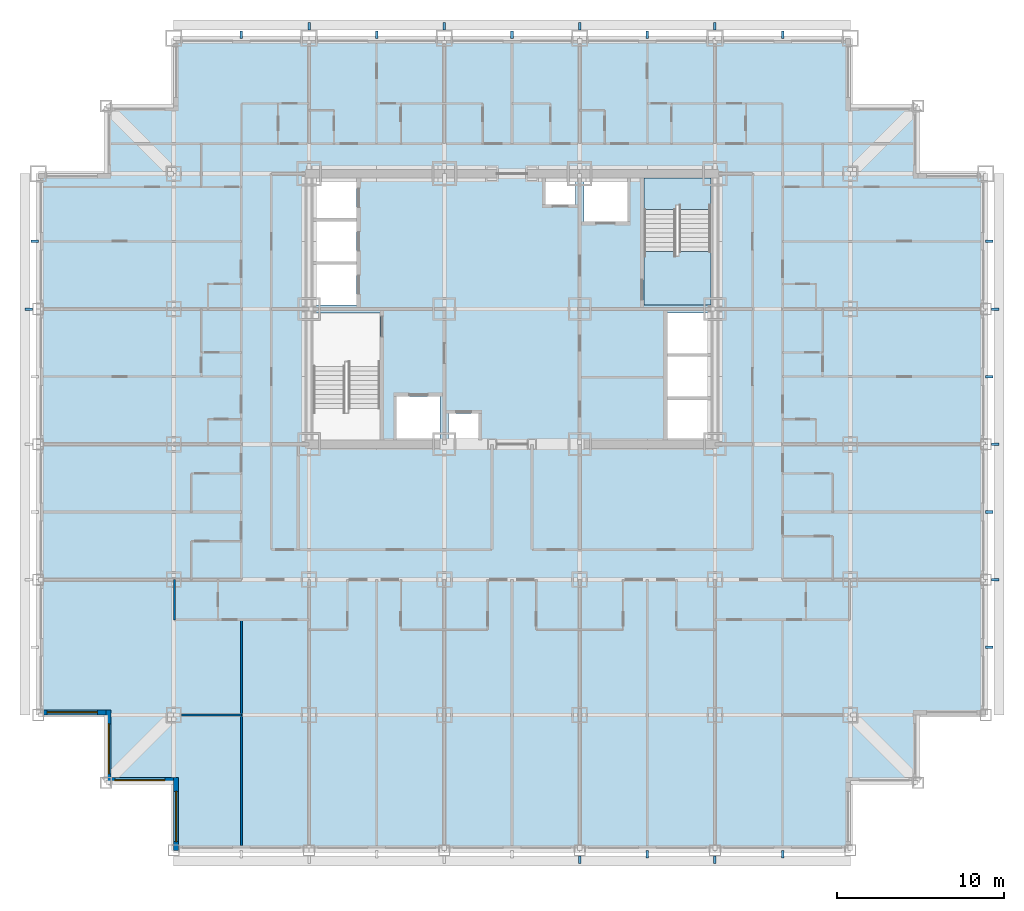
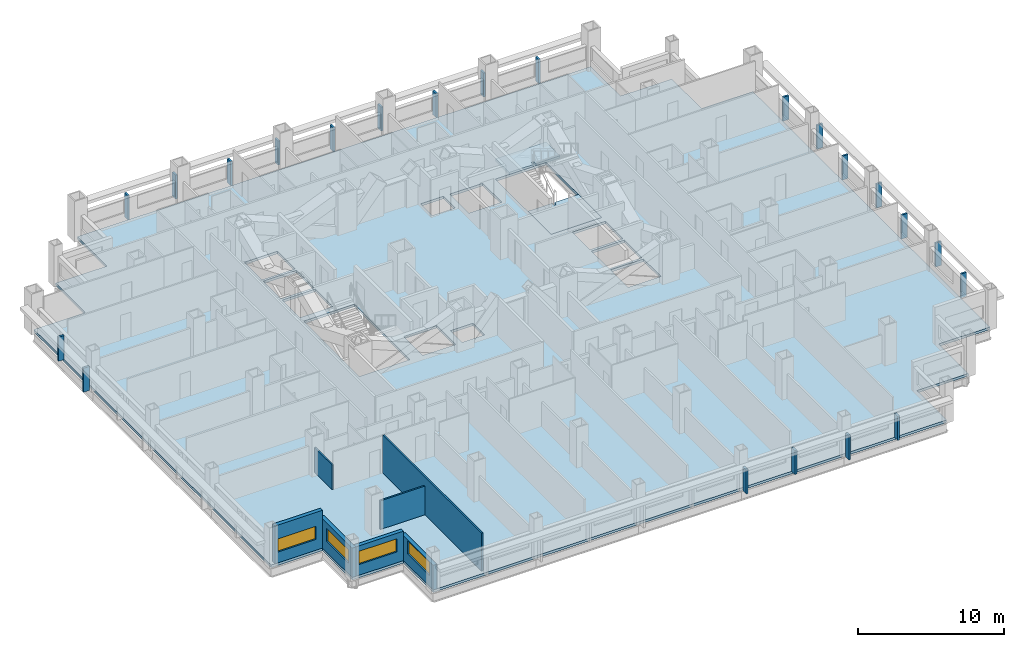
# One storey, part 3 of 12: 22 plates, 7 walls, 4 windows, 3 slabs, 4 openings, 1 element without a shape of its own.
"""IFC4 building model written with IfcOpenShell, lengths in metres."""

from ifc_helpers import new_model, si_unit, direction, frame, frame_2d, origin, origin_2d, place, context, subcontext, project, spatial, polyline, rectangle, outline, extrude, material, layer, layer_set, type_object, element, fill, aggregate, save


model = new_model("IFC4")

# Units and contexts
model_context = context("Model", 3, precision=1e-05, world=origin(), true_north=direction((0.0, 1.0)))
body_context = subcontext(model_context, "Body", "Model", "MODEL_VIEW")
ifc_project = project(units=[si_unit("LENGTHUNIT", "METRE"), si_unit("AREAUNIT", "SQUARE_METRE"), si_unit("VOLUMEUNIT", "CUBIC_METRE"), si_unit("PLANEANGLEUNIT", "RADIAN"), si_unit("MASSUNIT", "GRAM", prefix="KILO")], contexts=[model_context])

# Site, building, storey
site_placement = place(None, origin())
site = spatial("IfcSite", under=ifc_project, at=site_placement, CompositionType="ELEMENT")
building_placement = place(site_placement, origin())
building = spatial("IfcBuilding", under=site, at=building_placement, Name="Kopane Lantern Tower", CompositionType="ELEMENT")
storey_placement = place(building_placement, frame((0.0, 0.0, 87.39990234375)))
storey = spatial("IfcBuildingStorey", under=building, at=storey_placement, Name="L22", CompositionType="ELEMENT", Elevation=87.39990234375)

# Slab
ifc_material_1 = material(Name="Concrete C40/50", Category="concrete")
ifc_layer_1 = layer(ifc_material_1, 0.2099609375)
ifc_layer_set_1 = layer_set([ifc_layer_1], Name="SLAB 210 COMPOSITE")
slab_type_1 = type_object("IfcSlabType", Name="SLAB 210 COMPOSITE", PredefinedType="FLOOR", material=ifc_layer_set_1)
slab_1_placement = place(storey_placement, frame((0.0, 0.0, -0.2099609375)))
element("IfcSlab", 1, at=slab_1_placement, inside=storey, type_object=slab_type_1, Name="Floor slab L22", PredefinedType="FLOOR", context=body_context, shape_type="SweptSolid", body=[
    extrude(outline(polyline([(8.10009765625, 0.0), (48.60009765625, 0.0), (48.60009765625, 4.050048828125), (52.64990234375, 4.050048828125), (52.64990234375, 8.10009765625), (56.699951171875, 8.10009765625), (56.699951171875, 40.5), (52.64990234375, 40.5), (52.64990234375, 44.550048828125), (48.60009765625, 44.550048828125), (48.60009765625, 48.60009765625), (8.10009765625, 48.60009765625), (8.10009765625, 44.550048828125), (4.050048828125, 44.550048828125), (4.050048828125, 40.5), (0.0, 40.5), (0.0, 8.10009765625), (4.050048828125, 8.10009765625), (4.050048828125, 4.050048828125), (8.10009765625, 4.050048828125), (8.10009765625, 0.0)]), holes=[polyline([(16.449951171875, 24.550048828125), (20.449951171875, 24.550048828125), (20.449951171875, 32.14990234375), (16.449951171875, 32.14990234375), (16.449951171875, 24.550048828125)]), polyline([(36.25, 32.64990234375), (40.25, 32.64990234375), (40.25, 40.25), (36.25, 40.25), (36.25, 32.64990234375)]), polyline([(16.449951171875, 32.64990234375), (19.050048828125, 32.64990234375), (19.050048828125, 35.050048828125), (16.449951171875, 35.050048828125), (16.449951171875, 32.64990234375)]), polyline([(16.449951171875, 35.25), (19.050048828125, 35.25), (19.050048828125, 37.64990234375), (16.449951171875, 37.64990234375), (16.449951171875, 35.25)]), polyline([(16.449951171875, 37.85009765625), (19.050048828125, 37.85009765625), (19.050048828125, 40.25), (16.449951171875, 40.25), (16.449951171875, 37.85009765625)]), polyline([(37.64990234375, 24.550048828125), (40.25, 24.550048828125), (40.25, 26.949951171875), (37.64990234375, 26.949951171875), (37.64990234375, 24.550048828125)]), polyline([(37.64990234375, 27.14990234375), (40.25, 27.14990234375), (40.25, 29.550048828125), (37.64990234375, 29.550048828125), (37.64990234375, 27.14990234375)]), polyline([(37.64990234375, 29.75), (40.25, 29.75), (40.25, 32.14990234375), (37.64990234375, 32.14990234375), (37.64990234375, 29.75)]), polyline([(21.449951171875, 24.550048828125), (24.050048828125, 24.550048828125), (24.050048828125, 27.14990234375), (21.449951171875, 27.14990234375), (21.449951171875, 24.550048828125)]), polyline([(32.64990234375, 37.64990234375), (35.25, 37.64990234375), (35.25, 40.25), (32.64990234375, 40.25), (32.64990234375, 37.64990234375)]), polyline([(24.550048828125, 24.550048828125), (26.35009765625, 24.550048828125), (26.35009765625, 26.14990234375), (24.550048828125, 26.14990234375), (24.550048828125, 24.550048828125)]), polyline([(30.35009765625, 38.64990234375), (32.14990234375, 38.64990234375), (32.14990234375, 40.25), (30.35009765625, 40.25), (30.35009765625, 38.64990234375)])]), origin(), (0.0, 0.0, 1.0), 0.2099609375),
])

# Stair, slabs
ifc_material_2 = material(Name="Steel S355JR", Category="steel")
stair_type = type_object("IfcStairType", Name="EXIT STAIR 1900 HALF TURN", PredefinedType="HALF_TURN_STAIR", material=ifc_material_2)
stair_placement = place(storey_placement, origin())
stair = element("IfcStair", 2, at=stair_placement, inside=storey, type_object=stair_type, Name="Exit stair ST2 L22", PredefinedType="HALF_TURN_STAIR")
ifc_material_3 = material(Name="Concrete C40/50", Category="concrete")
ifc_layer_2 = layer(ifc_material_3, 0.199951171875)
ifc_layer_set_2 = layer_set([ifc_layer_2], Name="STAIR LANDING 200")
slab_type_2 = type_object("IfcSlabType", Name="STAIR LANDING 200", PredefinedType="LANDING", material=ifc_layer_set_2)
slab_2_placement = place(storey_placement, frame((0.0, 0.0, -0.199951171875)))
slab_2 = element("IfcSlab", 3, at=slab_2_placement, type_object=slab_type_2, Name="ST2 landing 1", PredefinedType="LANDING", context=body_context, shape_type="SweptSolid", body=[
    extrude(outline(polyline([(40.25, 35.830078125), (38.35009765625, 35.830078125), (38.35009765625, 35.550048828125), (38.14990234375, 35.550048828125), (38.14990234375, 35.830078125), (36.25, 35.830078125), (36.25, 32.64990234375), (40.25, 32.64990234375), (40.25, 35.830078125)])), origin(), (0.0, 0.0, 1.0), 0.199951171875),
])
slab_3_placement = place(storey_placement, frame((0.0, 0.0, 1.5)))
slab_3 = element("IfcSlab", 4, at=slab_3_placement, type_object=slab_type_2, Name="ST2 landing 2", PredefinedType="LANDING", context=body_context, shape_type="SweptSolid", body=[
    extrude(outline(polyline([(38.14990234375, 38.6298828125), (38.35009765625, 38.6298828125), (38.35009765625, 38.35009765625), (40.25, 38.35009765625), (40.25, 40.25), (36.25, 40.25), (36.25, 38.35009765625), (38.14990234375, 38.35009765625), (38.14990234375, 38.6298828125)])), origin(), (0.0, 0.0, 1.0), 0.2001953125),
])
aggregate(stair, [slab_2, slab_3])

# Plates
ifc_material_4 = material(Name="Terracotta rainscreen on light steel framing", Category="masonry")
ifc_layer_3 = layer(ifc_material_4, 0.14990234375)
ifc_layer_set_3 = layer_set([ifc_layer_3], Name="TERRACOTTA FIN TF1 150x450")
plate_type = type_object("IfcPlateType", Name="TERRACOTTA FIN TF1 150x450", PredefinedType="USERDEFINED", material=ifc_layer_set_3)
for number, where, z_axis, x_axis, name in (
    (5, (32.39990234375, -0.574951171875, 0.0), (0.0, 0.0, 1.0), (1.0, 0.0, 0.0), "Terracotta fin L22"),
    (6, (36.449951171875, -0.22509765625, 0.0), (0.0, 0.0, 1.0), (1.0, 0.0, 0.0), "Terracotta fin L22"),
    (7, (40.5, -0.574951171875, 0.0), (0.0, 0.0, 1.0), (1.0, 0.0, 0.0), "Terracotta fin L22"),
    (8, (44.550048828125, -0.22509765625, 0.0), (0.0, 0.0, 1.0), (1.0, 0.0, 0.0), "Terracotta fin L22"),
    (9, (56.925048828125, 12.14990234375, 0.0), (0.0, 0.0, 1.0), (0.0, 1.0, 0.0), "Terracotta fin L22"),
    (10, (57.27490234375, 16.199951171875, 0.0), (0.0, 0.0, 1.0), (0.0, 1.0, 0.0), "Terracotta fin L22"),
    (11, (56.925048828125, 20.25, 0.0), (0.0, 0.0, 1.0), (0.0, 1.0, 0.0), "Terracotta fin L22"),
    (12, (57.27490234375, 24.300048828125, 0.0), (0.0, 0.0, 1.0), (0.0, 1.0, 0.0), "Terracotta fin L22"),
    (13, (56.925048828125, 28.35009765625, 0.0), (0.0, 0.0, 1.0), (0.0, 1.0, 0.0), "Terracotta fin L22"),
    (14, (57.27490234375, 32.39990234375, 0.0), (0.0, 0.0, 1.0), (0.0, 1.0, 0.0), "Terracotta fin L22"),
    (15, (56.925048828125, 36.449951171875, 0.0), (0.0, 0.0, 1.0), (0.0, 1.0, 0.0), "Terracotta fin L22"),
    (16, (44.550048828125, 48.824951171875, 0.0), (0.0, 0.0, 1.0), (-1.0, 0.0, 0.0), "Terracotta fin L22"),
    (17, (40.5, 49.324951171875, 0.0), (0.0, 0.0, 1.0), (-1.0, 0.0, 0.0), "Terracotta fin L22"),
    (18, (36.449951171875, 48.824951171875, 0.0), (0.0, 0.0, 1.0), (-1.0, 0.0, 0.0), "Terracotta fin L22"),
    (19, (32.39990234375, 49.324951171875, 0.0), (0.0, 0.0, 1.0), (-1.0, 0.0, 0.0), "Terracotta fin L22"),
    (20, (28.35009765625, 48.824951171875, 0.0), (0.0, 0.0, 1.0), (-1.0, 0.0, 0.0), "Terracotta fin L22"),
    (21, (24.300048828125, 49.324951171875, 0.0), (0.0, 0.0, 1.0), (-1.0, 0.0, 0.0), "Terracotta fin L22"),
    (22, (20.25, 48.824951171875, 0.0), (0.0, 0.0, 1.0), (-1.0, 0.0, 0.0), "Terracotta fin L22"),
    (23, (16.199951171875, 49.324951171875, 0.0), (0.0, 0.0, 1.0), (-1.0, 0.0, 0.0), "Terracotta fin L22"),
    (24, (12.14990234375, 48.824951171875, 0.0), (0.0, 0.0, 1.0), (-1.0, 0.0, 0.0), "Terracotta fin L22"),
    (25, (-0.22509765625, 36.449951171875, 0.0), (0.0, 0.0, 1.0), (0.0, -1.0, 0.0), "Terracotta fin L22"),
    (26, (-0.574951171875, 32.39990234375, 0.0), (0.0, 0.0, 1.0), (0.0, -1.0, 0.0), "Terracotta fin L22"),
):
    element("IfcPlate", number, at=place(storey_placement, frame(where, z_axis=z_axis, x_axis=x_axis)), inside=storey, type_object=plate_type, Name=name, ObjectType="TERRACOTTA FIN", PredefinedType="USERDEFINED", context=body_context, shape_type="SweptSolid", body=[
        extrude(rectangle(XDim=0.14990234375, YDim=0.449951171875, at=origin_2d()), origin(), (0.0, 0.0, 1.0), 2.0),
    ])

# Walls
ifc_material_5 = material(Name="Gypsum board on steel studs", Category="steel")
ifc_layer_4 = layer(ifc_material_5, 0.1201171875)
ifc_layer_set_4 = layer_set([ifc_layer_4], Name="APARTMENT INTERNAL WALL 120")
wall_type_1 = type_object("IfcWallType", Name="APARTMENT INTERNAL WALL 120", PredefinedType="PARTITIONING", material=ifc_layer_set_4)
wall_1_placement = place(storey_placement, frame((12.14990234375, 13.800048828125, 0.0), z_axis=(0.0, 0.0, 1.0), x_axis=(0.0, -1.0, 0.0)))
element("IfcWall", 27, at=wall_1_placement, inside=storey, type_object=wall_type_1, Name="Apartment Internal Wall 120 L22", PredefinedType="PARTITIONING", context=body_context, shape_type="SweptSolid", body=[
    extrude(rectangle(XDim=13.5, YDim=0.1201171875, at=frame_2d((6.75, 0.0))), origin(), (0.0, 0.0, 1.0), 3.150146484375),
])
wall_2_placement = place(storey_placement, frame((12.14990234375, 8.10009765625, 0.0), z_axis=(0.0, 0.0, 1.0), x_axis=(-1.0, 0.0, 0.0)))
element("IfcWall", 28, at=wall_2_placement, inside=storey, type_object=wall_type_1, Name="Apartment Internal Wall 120 L22", PredefinedType="PARTITIONING", context=body_context, shape_type="SweptSolid", body=[
    extrude(rectangle(XDim=3.574951171875, YDim=0.1201171875, at=frame_2d((1.78759765625, 0.0))), origin(), (0.0, 0.0, 1.0), 2.387939453125),
])
ifc_material_6 = material(Name="Moisture-resistant board on steel studs", Category="steel")
ifc_layer_5 = layer(ifc_material_6, 0.10009765625)
ifc_layer_set_5 = layer_set([ifc_layer_5], Name="BATHROOM WALL 100")
wall_type_2 = type_object("IfcWallType", Name="BATHROOM WALL 100", PredefinedType="PARTITIONING", material=ifc_layer_set_5)
wall_3_placement = place(storey_placement, frame((8.14990234375, 16.199951171875, 0.0), z_axis=(0.0, 0.0, 1.0), x_axis=(0.0, -1.0, 0.0)))
element("IfcWall", 29, at=wall_3_placement, inside=storey, type_object=wall_type_2, Name="Bathroom Wall 100 L22", PredefinedType="PARTITIONING", context=body_context, shape_type="SweptSolid", body=[
    extrude(rectangle(XDim=2.39990234375, YDim=0.10009765625, at=frame_2d((1.199951171875, 0.0))), origin(), (0.0, 0.0, 1.0), 2.050048828125),
])

# Wall, opening, window
ifc_material_7 = material(Name="Terracotta rainscreen on light steel framing", Category="masonry")
ifc_layer_6 = layer(ifc_material_7, 0.300048828125)
ifc_layer_set_6 = layer_set([ifc_layer_6], Name="EXTERNAL WALL EW1 300 TERRACOTTA")
wall_type_3 = type_object("IfcWallType", Name="EXTERNAL WALL EW1 300 TERRACOTTA", PredefinedType="SOLIDWALL", material=ifc_layer_set_6)
wall_4_placement = place(storey_placement, frame((0.300048828125, 8.25, 0.0), z_axis=(0.0, 0.0, 1.0), x_axis=(1.0, 0.0, 0.0)))
wall_4 = element("IfcWall", 30, at=wall_4_placement, inside=storey, type_object=wall_type_3, Name="External wall S L22", PredefinedType="SOLIDWALL", context=body_context, shape_type="SweptSolid", body=[
    extrude(rectangle(XDim=3.75, YDim=0.300048828125, at=frame_2d((1.875, 0.0))), origin(), (0.0, 0.0, 1.0), 3.150146484375),
])
opening_1_placement = place(wall_4_placement, frame((0.22509765625, 0.0, 0.89990234375)))
opening_1 = element("IfcOpeningElement", 31, at=opening_1_placement, cuts=wall_4, Name="Opening WR300110", PredefinedType="OPENING", context=body_context, shape_type="SweptSolid", body=[
    extrude(rectangle(XDim=3.0, YDim=1.10009765625, at=frame_2d((1.5, 0.550048828125))), frame((0.0, 0.159912109375, 0.0), z_axis=(0.0, -1.0, 0.0), x_axis=(1.0, 0.0, 0.0)), (0.0, 0.0, 1.0), 0.320068359375),
])
ifc_material_8 = material(Name="Aluminium and clear glass", Category="aluminium")
window_type = type_object("IfcWindowType", Name="RIBBON WINDOW WR300110 3000x1100", PartitioningType="SINGLE_PANEL", PredefinedType="WINDOW", material=ifc_material_8)
window_1_placement = place(opening_1_placement, origin())
window_1 = element("IfcWindow", 32, at=window_1_placement, inside=storey, type_object=window_type, Name="Window S L22", OverallHeight=1.10009765625, OverallWidth=3.0, PartitioningType="SINGLE_PANEL", PredefinedType="WINDOW", context=body_context, shape_type="SweptSolid", body=[
    extrude(rectangle(XDim=3.0, YDim=1.10009765625, at=frame_2d((1.5, 0.550048828125))), frame((0.0, 0.030029296875, 0.0), z_axis=(0.0, -1.0, 0.0), x_axis=(1.0, 0.0, 0.0)), (0.0, 0.0, 1.0), 0.06005859375),
])
fill(opening_1, window_1)

wall_5_placement = place(storey_placement, frame((4.199951171875, 8.39990234375, 0.0), z_axis=(0.0, 0.0, 1.0), x_axis=(0.0, -1.0, 0.0)))
wall_5 = element("IfcWall", 33, at=wall_5_placement, inside=storey, type_object=wall_type_3, Name="External wall W L22", PredefinedType="SOLIDWALL", context=body_context, shape_type="SweptSolid", body=[
    extrude(rectangle(XDim=4.349853515625, YDim=0.300048828125, at=frame_2d((2.1748046875, 0.0))), origin(), (0.0, 0.0, 1.0), 2.4501953125),
])
opening_2_placement = place(wall_5_placement, frame((0.824951171875, 0.0, 0.89990234375)))
opening_2 = element("IfcOpeningElement", 34, at=opening_2_placement, cuts=wall_5, Name="Opening WR300110", PredefinedType="OPENING", context=body_context, shape_type="SweptSolid", body=[
    extrude(rectangle(XDim=3.0, YDim=1.10009765625, at=frame_2d((1.5, 0.550048828125))), frame((0.0, 0.159912109375, 0.0), z_axis=(0.0, -1.0, 0.0), x_axis=(1.0, 0.0, 0.0)), (0.0, 0.0, 1.0), 0.320068359375),
])
window_2_placement = place(opening_2_placement, origin())
window_2 = element("IfcWindow", 35, at=window_2_placement, inside=storey, type_object=window_type, Name="Window W L22", OverallHeight=1.10009765625, OverallWidth=3.0, PartitioningType="SINGLE_PANEL", PredefinedType="WINDOW", context=body_context, shape_type="SweptSolid", body=[
    extrude(rectangle(XDim=3.0, YDim=1.10009765625, at=frame_2d((1.5, 0.550048828125))), frame((0.0, 0.030029296875, 0.0), z_axis=(0.0, -1.0, 0.0), x_axis=(1.0, 0.0, 0.0)), (0.0, 0.0, 1.0), 0.06005859375),
])
fill(opening_2, window_2)

wall_6_placement = place(storey_placement, frame((4.35009765625, 4.199951171875, 0.0), z_axis=(0.0, 0.0, 1.0), x_axis=(1.0, 0.0, 0.0)))
wall_6 = element("IfcWall", 36, at=wall_6_placement, inside=storey, type_object=wall_type_3, Name="External wall S L22", PredefinedType="SOLIDWALL", context=body_context, shape_type="SweptSolid", body=[
    extrude(rectangle(XDim=3.75, YDim=0.300048828125, at=frame_2d((1.875, 0.0))), origin(), (0.0, 0.0, 1.0), 2.4501953125),
])
opening_3_placement = place(wall_6_placement, frame((0.22509765625, 0.0, 0.89990234375)))
opening_3 = element("IfcOpeningElement", 37, at=opening_3_placement, cuts=wall_6, Name="Opening WR300110", PredefinedType="OPENING", context=body_context, shape_type="SweptSolid", body=[
    extrude(rectangle(XDim=3.0, YDim=1.10009765625, at=frame_2d((1.5, 0.550048828125))), frame((0.0, 0.159912109375, 0.0), z_axis=(0.0, -1.0, 0.0), x_axis=(1.0, 0.0, 0.0)), (0.0, 0.0, 1.0), 0.320068359375),
])
window_3_placement = place(opening_3_placement, origin())
window_3 = element("IfcWindow", 38, at=window_3_placement, inside=storey, type_object=window_type, Name="Window S L22", OverallHeight=1.10009765625, OverallWidth=3.0, PartitioningType="SINGLE_PANEL", PredefinedType="WINDOW", context=body_context, shape_type="SweptSolid", body=[
    extrude(rectangle(XDim=3.0, YDim=1.10009765625, at=frame_2d((1.5, 0.550048828125))), frame((0.0, 0.030029296875, 0.0), z_axis=(0.0, -1.0, 0.0), x_axis=(1.0, 0.0, 0.0)), (0.0, 0.0, 1.0), 0.06005859375),
])
fill(opening_3, window_3)

wall_7_placement = place(storey_placement, frame((8.25, 4.35009765625, 0.0), z_axis=(0.0, 0.0, 1.0), x_axis=(0.0, -1.0, 0.0)))
wall_7 = element("IfcWall", 39, at=wall_7_placement, inside=storey, type_object=wall_type_3, Name="External wall W L22", PredefinedType="SOLIDWALL", context=body_context, shape_type="SweptSolid", body=[
    extrude(rectangle(XDim=4.35009765625, YDim=0.300048828125, at=frame_2d((2.175048828125, 0.0))), origin(), (0.0, 0.0, 1.0), 2.050048828125),
])
opening_4_placement = place(wall_7_placement, frame((0.824951171875, 0.0, 0.89990234375)))
opening_4 = element("IfcOpeningElement", 40, at=opening_4_placement, cuts=wall_7, Name="Opening WR300110", PredefinedType="OPENING", context=body_context, shape_type="SweptSolid", body=[
    extrude(rectangle(XDim=3.0, YDim=1.10009765625, at=frame_2d((1.5, 0.550048828125))), frame((0.0, 0.159912109375, 0.0), z_axis=(0.0, -1.0, 0.0), x_axis=(1.0, 0.0, 0.0)), (0.0, 0.0, 1.0), 0.320068359375),
])
window_4_placement = place(opening_4_placement, origin())
window_4 = element("IfcWindow", 41, at=window_4_placement, inside=storey, type_object=window_type, Name="Window W L22", OverallHeight=1.10009765625, OverallWidth=3.0, PartitioningType="SINGLE_PANEL", PredefinedType="WINDOW", context=body_context, shape_type="SweptSolid", body=[
    extrude(rectangle(XDim=3.0, YDim=1.10009765625, at=frame_2d((1.5, 0.550048828125))), frame((0.0, 0.030029296875, 0.0), z_axis=(0.0, -1.0, 0.0), x_axis=(1.0, 0.0, 0.0)), (0.0, 0.0, 1.0), 0.06005859375),
])
fill(opening_4, window_4)

save(model, "model.ifc")
